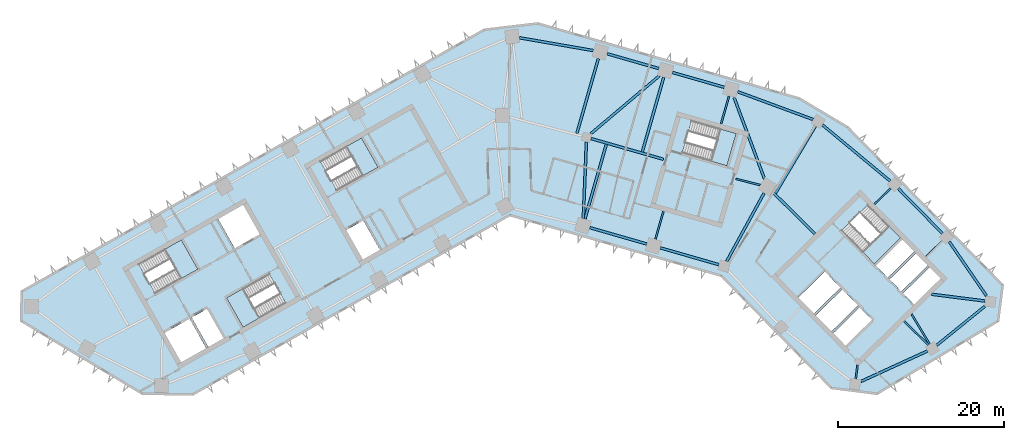
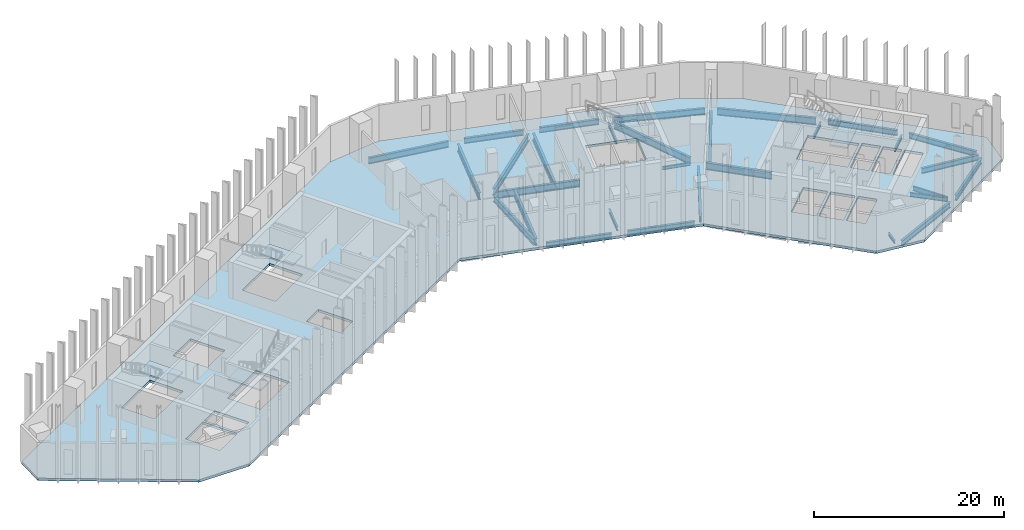
# One storey, part 2 of 11: 30 beams, 6 slabs, 5 elements without a shape of their own.
"""IFC4 building model written with IfcOpenShell, lengths in metres."""

from ifc_helpers import new_model, si_unit, direction, frame, origin, origin_2d, place, context, subcontext, project, spatial, polyline, i_section, outline, extrude, material, layer, layer_set, material_profile, profile_set, type_object, element, aggregate, save


model = new_model("IFC4")

# Units and contexts
model_context = context("Model", 3, precision=1e-05, world=origin(), true_north=direction((0.0, 1.0)))
body_context = subcontext(model_context, "Body", "Model", "MODEL_VIEW")
ifc_project = project(units=[si_unit("LENGTHUNIT", "METRE"), si_unit("AREAUNIT", "SQUARE_METRE"), si_unit("VOLUMEUNIT", "CUBIC_METRE"), si_unit("PLANEANGLEUNIT", "RADIAN"), si_unit("MASSUNIT", "GRAM", prefix="KILO")], contexts=[model_context])

# Site, building, storey
site_placement = place(None, origin())
site = spatial("IfcSite", under=ifc_project, at=site_placement, CompositionType="ELEMENT")
building_placement = place(site_placement, origin())
building = spatial("IfcBuilding", under=site, at=building_placement, Name="Binnacle Exchange Tower", CompositionType="ELEMENT")
storey_placement = place(building_placement, frame((0.0, 0.0, 36.5)))
storey = spatial("IfcBuildingStorey", under=building, at=storey_placement, Name="L07", CompositionType="ELEMENT", Elevation=36.5)

# Beams
ifc_material_1 = material(Name="Steel S355 (SHN355)", Category="steel")
ifc_material_profile_1 = material_profile(ifc_material_1, i_section(OverallWidth=0.300048828125, OverallDepth=0.699951171875, WebThickness=0.012939453125, FlangeThickness=0.02392578125, FilletRadius=0.028076171875, at=origin_2d()), Name="H 700x300x13x24")
ifc_profile_set_1 = profile_set([ifc_material_profile_1], Name="Steel S355 (SHN355)")
beam_type_1 = type_object("IfcBeamType", Name="Edge girder H 700x300x13x24 Steel S355 (SHN355)", PredefinedType="SPANDREL", material=ifc_profile_set_1)
beam_1_placement = place(storey_placement, frame((9.626708984375, 46.488037109375, -0.669921875), z_axis=(0.961260850036, -0.275640305812, 0.0), x_axis=(0.275640305812, 0.961260850036, 0.0)))
element("IfcBeam", 1, at=beam_1_placement, inside=storey, type_object=beam_type_1, Name="S:BM:edge:L07:030", PredefinedType="SPANDREL", context=body_context, shape_type="SweptSolid", body=[
    extrude(i_section(OverallWidth=0.300048828125, OverallDepth=0.699951171875, WebThickness=0.012939453125, FlangeThickness=0.02392578125, FilletRadius=0.028076171875, at=origin_2d()), origin(), (0.0, 0.0, 1.0), 7.120361328125),
])
beam_2_placement = place(storey_placement, frame((17.92919921875, 65.610595703125, -0.669921875), z_axis=(-0.961261624999, 0.275637603213, 0.0), x_axis=(-0.275637603213, -0.961261624999, 0.0)))
element("IfcBeam", 2, at=beam_2_placement, inside=storey, type_object=beam_type_1, Name="S:BM:edge:L07:032", PredefinedType="SPANDREL", context=body_context, shape_type="SweptSolid", body=[
    extrude(i_section(OverallWidth=0.300048828125, OverallDepth=0.699951171875, WebThickness=0.012939453125, FlangeThickness=0.02392578125, FilletRadius=0.028076171875, at=origin_2d()), origin(), (0.0, 0.0, 1.0), 6.472900390625),
])
beam_3_placement = place(storey_placement, frame((18.105224609375, 44.056884765625, -0.669921875), z_axis=(0.96126047873, -0.275641600691, 0.0), x_axis=(0.275641600691, 0.96126047873, 0.0)))
element("IfcBeam", 3, at=beam_3_placement, inside=storey, type_object=beam_type_1, Name="S:BM:edge:L07:033", PredefinedType="SPANDREL", context=body_context, shape_type="SweptSolid", body=[
    extrude(i_section(OverallWidth=0.300048828125, OverallDepth=0.699951171875, WebThickness=0.012939453125, FlangeThickness=0.02392578125, FilletRadius=0.028076171875, at=origin_2d()), origin(), (0.0, 0.0, 1.0), 7.320556640625),
])
beam_4_placement = place(storey_placement, frame((25.78564453125, 63.35791015625, -0.669921875), z_axis=(-0.961271618025, 0.275602751036, 0.0), x_axis=(-0.275602751036, -0.961271618025, 0.0)))
element("IfcBeam", 4, at=beam_4_placement, inside=storey, type_object=beam_type_1, Name="S:BM:edge:L07:034", PredefinedType="SPANDREL", context=body_context, shape_type="SweptSolid", body=[
    extrude(i_section(OverallWidth=0.300048828125, OverallDepth=0.699951171875, WebThickness=0.012939453125, FlangeThickness=0.02392578125, FilletRadius=0.028076171875, at=origin_2d()), origin(), (0.0, 0.0, 1.0), 6.472900390625),
])
beam_5_placement = place(storey_placement, frame((51.322265625, 32.343505859375, -0.669921875), z_axis=(0.777568489665, 0.628798253719, 0.0), x_axis=(-0.628798253719, 0.777568489665, 0.0)))
element("IfcBeam", 5, at=beam_5_placement, inside=storey, type_object=beam_type_1, Name="S:BM:edge:L07:040", PredefinedType="SPANDREL", context=body_context, shape_type="SweptSolid", body=[
    extrude(i_section(OverallWidth=0.300048828125, OverallDepth=0.699951171875, WebThickness=0.012939453125, FlangeThickness=0.02392578125, FilletRadius=0.028076171875, at=origin_2d()), origin(), (0.0, 0.0, 1.0), 7.428955078125),
])
beam_6_placement = place(storey_placement, frame((52.010986328125, 45.802978515625, -0.669921875), z_axis=(-0.700905226564, 0.713254417004, 0.0), x_axis=(-0.713254417004, -0.700905226564, 0.0)))
element("IfcBeam", 6, at=beam_6_placement, inside=storey, type_object=beam_type_1, Name="S:BM:edge:L07:041", PredefinedType="SPANDREL", context=body_context, shape_type="SweptSolid", body=[
    extrude(i_section(OverallWidth=0.300048828125, OverallDepth=0.699951171875, WebThickness=0.012939453125, FlangeThickness=0.02392578125, FilletRadius=0.028076171875, at=origin_2d()), origin(), (0.0, 0.0, 1.0), 7.57177734375),
])
beam_7_placement = place(storey_placement, frame((57.305419921875, 38.299072265625, -0.669921875), z_axis=(-0.566409202341, 0.82412415054, 0.0), x_axis=(-0.82412415054, -0.566409202341, 0.0)))
element("IfcBeam", 7, at=beam_7_placement, inside=storey, type_object=beam_type_1, Name="S:BM:edge:L07:042", PredefinedType="SPANDREL", context=body_context, shape_type="SweptSolid", body=[
    extrude(i_section(OverallWidth=0.300048828125, OverallDepth=0.699951171875, WebThickness=0.012939453125, FlangeThickness=0.02392578125, FilletRadius=0.028076171875, at=origin_2d()), origin(), (0.0, 0.0, 1.0), 7.8828125),
])
ifc_material_profile_2 = material_profile(ifc_material_1, i_section(OverallWidth=0.302001953125, OverallDepth=0.7080078125, WebThickness=0.014892578125, FlangeThickness=0.028076171875, FilletRadius=0.028076171875, at=origin_2d()), Name="H 708x302x15x28")
ifc_profile_set_2 = profile_set([ifc_material_profile_2], Name="Steel S355 (SHN355)")
beam_type_2 = type_object("IfcBeamType", Name="Edge girder H 708x302x15x28 Steel S355 (SHN355)", PredefinedType="SPANDREL", material=ifc_profile_set_2)
beam_8_placement = place(storey_placement, frame((42.215576171875, 27.99365234375, -0.674072265625), z_axis=(0.909179052108, 0.416405392866, 0.0), x_axis=(-0.416405392866, 0.909179052108, 0.0)))
element("IfcBeam", 8, at=beam_8_placement, inside=storey, type_object=beam_type_2, Name="S:BM:edge:L07:038", PredefinedType="SPANDREL", context=body_context, shape_type="SweptSolid", body=[
    extrude(i_section(OverallWidth=0.302001953125, OverallDepth=0.7080078125, WebThickness=0.014892578125, FlangeThickness=0.028076171875, FilletRadius=0.028076171875, at=origin_2d()), origin(), (0.0, 0.0, 1.0), 8.801025390625),
])
ifc_material_profile_3 = material_profile(ifc_material_1, i_section(OverallWidth=0.300048828125, OverallDepth=0.800048828125, WebThickness=0.013916015625, FlangeThickness=0.02587890625, FilletRadius=0.028076171875, at=origin_2d()), Name="H 800x300x14x26")
ifc_profile_set_3 = profile_set([ifc_material_profile_3], Name="Steel S355 (SHN355)")
beam_type_3 = type_object("IfcBeamType", Name="Edge girder H 800x300x14x26 Steel S355 (SHN355)", PredefinedType="SPANDREL", material=ifc_profile_set_3)
beam_9_placement = place(storey_placement, frame((10.047607421875, 67.77490234375, -0.719970703125), z_axis=(-0.985312460293, 0.17076110679, 0.0), x_axis=(-0.17076110679, -0.985312460293, 0.0)))
element("IfcBeam", 9, at=beam_9_placement, inside=storey, type_object=beam_type_3, Name="S:BM:edge:L07:031", PredefinedType="SPANDREL", context=body_context, shape_type="SweptSolid", body=[
    extrude(i_section(OverallWidth=0.300048828125, OverallDepth=0.800048828125, WebThickness=0.013916015625, FlangeThickness=0.02587890625, FilletRadius=0.028076171875, at=origin_2d()), origin(), (0.0, 0.0, 1.0), 9.005859375),
])
ifc_material_profile_4 = material_profile(ifc_material_1, i_section(OverallWidth=0.302001953125, OverallDepth=0.80810546875, WebThickness=0.01611328125, FlangeThickness=0.030029296875, FilletRadius=0.028076171875, at=origin_2d()), Name="H 808x302x16x30")
ifc_profile_set_4 = profile_set([ifc_material_profile_4], Name="Steel S355 (SHN355)")
beam_type_4 = type_object("IfcBeamType", Name="Edge girder H 808x302x16x30 Steel S355 (SHN355)", PredefinedType="SPANDREL", material=ifc_profile_set_4)
beam_10_placement = place(storey_placement, frame((36.464599609375, 59.490966796875, -0.72412109375), z_axis=(-0.938368148393, 0.345637408395, 0.0), x_axis=(-0.345637408395, -0.938368148393, 0.0)))
element("IfcBeam", 10, at=beam_10_placement, inside=storey, type_object=beam_type_4, Name="S:BM:edge:L07:037", PredefinedType="SPANDREL", context=body_context, shape_type="SweptSolid", body=[
    extrude(i_section(OverallWidth=0.302001953125, OverallDepth=0.80810546875, WebThickness=0.01611328125, FlangeThickness=0.030029296875, FilletRadius=0.028076171875, at=origin_2d()), origin(), (0.0, 0.0, 1.0), 9.6572265625),
])
ifc_material_profile_5 = material_profile(ifc_material_1, i_section(OverallWidth=0.300048828125, OverallDepth=0.89990234375, WebThickness=0.01611328125, FlangeThickness=0.028076171875, FilletRadius=0.028076171875, at=origin_2d()), Name="H 900x300x16x28")
ifc_profile_set_5 = profile_set([ifc_material_profile_5], Name="Steel S355 (SHN355)")
beam_type_5 = type_object("IfcBeamType", Name="Edge girder H 900x300x16x28 Steel S355 (SHN355)", PredefinedType="SPANDREL", material=ifc_profile_set_5)
beam_11_placement = place(storey_placement, frame((45.7451171875, 52.084228515625, -0.77001953125), z_axis=(-0.769906025895, 0.638157277864, 0.0), x_axis=(-0.638157277864, -0.769906025895, 0.0)))
element("IfcBeam", 11, at=beam_11_placement, inside=storey, type_object=beam_type_5, Name="S:BM:edge:L07:039", PredefinedType="SPANDREL", context=body_context, shape_type="SweptSolid", body=[
    extrude(i_section(OverallWidth=0.300048828125, OverallDepth=0.89990234375, WebThickness=0.01611328125, FlangeThickness=0.028076171875, FilletRadius=0.028076171875, at=origin_2d()), origin(), (0.0, 0.0, 1.0), 10.59033203125),
])
ifc_material_profile_6 = material_profile(ifc_material_1, i_section(OverallWidth=0.199951171875, OverallDepth=0.39990234375, WebThickness=0.008056640625, FlangeThickness=0.012939453125, FilletRadius=0.01611328125, at=origin_2d()), Name="H 400x200x8x13")
ifc_profile_set_6 = profile_set([ifc_material_profile_6], Name="Steel S355 (SHN355)")
beam_type_6 = type_object("IfcBeamType", Name="Floor beam H 400x200x8x13 Steel S355 (SHN355)", PredefinedType="BEAM", material=ifc_profile_set_6)
beam_12_placement = place(storey_placement, frame((41.601806640625, 28.319580078125, -0.52001953125), z_axis=(0.126197116971, 0.992005185303, 0.0), x_axis=(-0.992005185303, 0.126197116971, 0.0)))
element("IfcBeam", 12, at=beam_12_placement, inside=storey, type_object=beam_type_6, Name="S:BM:cross:L07:063", PredefinedType="BEAM", context=body_context, shape_type="SweptSolid", body=[
    extrude(i_section(OverallWidth=0.199951171875, OverallDepth=0.39990234375, WebThickness=0.008056640625, FlangeThickness=0.012939453125, FilletRadius=0.01611328125, at=origin_2d()), origin(), (0.0, 0.0, 1.0), 1.68115234375),
])
ifc_material_profile_7 = material_profile(ifc_material_1, i_section(OverallWidth=0.199951171875, OverallDepth=0.449951171875, WebThickness=0.009033203125, FlangeThickness=0.013916015625, FilletRadius=0.01806640625, at=origin_2d()), Name="H 450x200x9x14")
ifc_profile_set_7 = profile_set([ifc_material_profile_7], Name="Steel S355 (SHN355)")
beam_type_7 = type_object("IfcBeamType", Name="Floor beam H 450x200x9x14 Steel S355 (SHN355)", PredefinedType="BEAM", material=ifc_profile_set_7)
for number, where, z_axis, x_axis, name in (
    (13, (45.78466796875, 51.211669921875, -0.544921875), (-0.713299272232, -0.700859578113, 0.0), (0.700859578113, -0.713299272232, 0.0), "S:BM:cross:L07:064"),
    (14, (52.003173828125, 44.8837890625, -0.544921875), (-0.713254209224, -0.700905438004, 0.0), (0.700905438004, -0.713254209224, 0.0), "S:BM:cross:L07:066"),
):
    element("IfcBeam", number, at=place(storey_placement, frame(where, z_axis=z_axis, x_axis=x_axis)), inside=storey, type_object=beam_type_7, Name=name, PredefinedType="BEAM", context=body_context, shape_type="SweptSolid", body=[
        extrude(i_section(OverallWidth=0.199951171875, OverallDepth=0.449951171875, WebThickness=0.009033203125, FlangeThickness=0.013916015625, FilletRadius=0.01806640625, at=origin_2d()), origin(), (0.0, 0.0, 1.0), 2.70849609375),
    ])
ifc_material_profile_8 = material_profile(ifc_material_1, i_section(OverallWidth=0.200927734375, OverallDepth=0.506103515625, WebThickness=0.010986328125, FlangeThickness=0.01904296875, FilletRadius=0.02001953125, at=origin_2d()), Name="H 506x201x11x19")
ifc_profile_set_8 = profile_set([ifc_material_profile_8], Name="Steel S355 (SHN355)")
beam_type_8 = type_object("IfcBeamType", Name="Floor beam H 506x201x11x19 Steel S355 (SHN355)", PredefinedType="BEAM", material=ifc_profile_set_8)
for number, where, z_axis, x_axis, name in (
    (15, (17.5224609375, 45.108154296875, -0.572998046875), (0.275655468279, 0.961256502089, 0.0), (-0.961256502089, 0.275655468279, 0.0), "S:BM:cross:L07:058"),
    (16, (26.368408203125, 62.306396484375, -0.572998046875), (-0.275655468279, -0.961256502089, 0.0), (0.961256502089, -0.275655468279, 0.0), "S:BM:cross:L07:060"),
):
    element("IfcBeam", number, at=place(storey_placement, frame(where, z_axis=z_axis, x_axis=x_axis)), inside=storey, type_object=beam_type_8, Name=name, PredefinedType="BEAM", context=body_context, shape_type="SweptSolid", body=[
        extrude(i_section(OverallWidth=0.200927734375, OverallDepth=0.506103515625, WebThickness=0.010986328125, FlangeThickness=0.01904296875, FilletRadius=0.02001953125, at=origin_2d()), origin(), (0.0, 0.0, 1.0), 3.485107421875),
    ])
ifc_material_profile_9 = material_profile(ifc_material_1, i_section(OverallWidth=0.199951171875, OverallDepth=0.60009765625, WebThickness=0.010986328125, FlangeThickness=0.01708984375, FilletRadius=0.02197265625, at=origin_2d()), Name="H 600x200x11x17")
ifc_profile_set_9 = profile_set([ifc_material_profile_9], Name="Steel S355 (SHN355)")
beam_type_9 = type_object("IfcBeamType", Name="Floor beam H 600x200x11x17 Steel S355 (SHN355)", PredefinedType="BEAM", material=ifc_profile_set_9)
beam_13_placement = place(storey_placement, frame((50.477294921875, 32.488037109375, -0.6201171875), z_axis=(-0.515057466438, 0.857155648798, 0.0), x_axis=(-0.857155648798, -0.515057466438, 0.0)))
element("IfcBeam", 17, at=beam_13_placement, inside=storey, type_object=beam_type_9, Name="S:BM:cross:L07:065", PredefinedType="BEAM", context=body_context, shape_type="SweptSolid", body=[
    extrude(i_section(OverallWidth=0.199951171875, OverallDepth=0.60009765625, WebThickness=0.010986328125, FlangeThickness=0.01708984375, FilletRadius=0.02197265625, at=origin_2d()), origin(), (0.0, 0.0, 1.0), 4.2177734375),
])
ifc_material_profile_10 = material_profile(ifc_material_1, i_section(OverallWidth=0.300048828125, OverallDepth=0.699951171875, WebThickness=0.012939453125, FlangeThickness=0.02392578125, FilletRadius=0.028076171875, at=origin_2d()), Name="H 700x300x13x24")
ifc_profile_set_10 = profile_set([ifc_material_profile_10], Name="Steel S355 (SHN355)")
beam_type_10 = type_object("IfcBeamType", Name="Floor beam H 700x300x13x24 Steel S355 (SHN355)", PredefinedType="BEAM", material=ifc_profile_set_10)
beam_14_placement = place(storey_placement, frame((57.154296875, 37.6630859375, -0.669921875), z_axis=(-0.992006658356, 0.126185537116, 0.0), x_axis=(-0.126185537116, -0.992006658356, 0.0)))
element("IfcBeam", 18, at=beam_14_placement, inside=storey, type_object=beam_type_10, Name="S:BM:cross:L07:067", PredefinedType="BEAM", context=body_context, shape_type="SweptSolid", body=[
    extrude(i_section(OverallWidth=0.300048828125, OverallDepth=0.699951171875, WebThickness=0.012939453125, FlangeThickness=0.02392578125, FilletRadius=0.028076171875, at=origin_2d()), origin(), (0.0, 0.0, 1.0), 6.4814453125),
])
ifc_material_profile_11 = material_profile(ifc_material_1, i_section(OverallWidth=0.302978515625, OverallDepth=0.91796875, WebThickness=0.01904296875, FlangeThickness=0.037109375, FilletRadius=0.028076171875, at=origin_2d()), Name="H 918x303x19x37")
ifc_profile_set_11 = profile_set([ifc_material_profile_11], Name="Steel S355 (SHN355)")
beam_type_11 = type_object("IfcBeamType", Name="Floor beam H 918x303x19x37 Steel S355 (SHN355)", PredefinedType="BEAM", material=ifc_profile_set_11)
beam_15_placement = place(storey_placement, frame((9.043701171875, 47.539306640625, -0.779052734375), z_axis=(0.275646698205, 0.961259017003, 0.0), x_axis=(-0.961259017003, 0.275646698205, 0.0)))
element("IfcBeam", 19, at=beam_15_placement, inside=storey, type_object=beam_type_11, Name="S:BM:cross:L07:056", PredefinedType="BEAM", context=body_context, shape_type="SweptSolid", body=[
    extrude(i_section(OverallWidth=0.302978515625, OverallDepth=0.91796875, WebThickness=0.01904296875, FlangeThickness=0.037109375, FilletRadius=0.028076171875, at=origin_2d()), origin(), (0.0, 0.0, 1.0), 9.335205078125),
])
beam_16_placement = place(storey_placement, frame((10.65576171875, 66.81201171875, -0.779052734375), z_axis=(-0.275626703457, -0.961264750389, 0.0), x_axis=(0.961264750389, -0.275626703457, 0.0)))
element("IfcBeam", 20, at=beam_16_placement, inside=storey, type_object=beam_type_11, Name="S:BM:cross:L07:057", PredefinedType="BEAM", context=body_context, shape_type="SweptSolid", body=[
    extrude(i_section(OverallWidth=0.302978515625, OverallDepth=0.91796875, WebThickness=0.01904296875, FlangeThickness=0.037109375, FilletRadius=0.028076171875, at=origin_2d()), origin(), (0.0, 0.0, 1.0), 9.363525390625),
])
beam_17_placement = place(storey_placement, frame((18.511962890625, 64.55908203125, -0.779052734375), z_axis=(-0.275629461812, -0.961263959473, 0.0), x_axis=(0.961263959473, -0.275629461812, 0.0)))
element("IfcBeam", 21, at=beam_17_placement, inside=storey, type_object=beam_type_11, Name="S:BM:cross:L07:059", PredefinedType="BEAM", context=body_context, shape_type="SweptSolid", body=[
    extrude(i_section(OverallWidth=0.302978515625, OverallDepth=0.91796875, WebThickness=0.01904296875, FlangeThickness=0.037109375, FilletRadius=0.028076171875, at=origin_2d()), origin(), (0.0, 0.0, 1.0), 9.3349609375),
])
beam_18_placement = place(storey_placement, frame((36.752685546875, 58.703857421875, -0.779052734375), z_axis=(-0.511298188751, -0.859403375709, 0.0), x_axis=(0.859403375709, -0.511298188751, 0.0)))
element("IfcBeam", 22, at=beam_18_placement, inside=storey, type_object=beam_type_11, Name="S:BM:cross:L07:062", PredefinedType="BEAM", context=body_context, shape_type="SweptSolid", body=[
    extrude(i_section(OverallWidth=0.302978515625, OverallDepth=0.91796875, WebThickness=0.01904296875, FlangeThickness=0.037109375, FilletRadius=0.028076171875, at=origin_2d()), origin(), (0.0, 0.0, 1.0), 9.385986328125),
])
ifc_material_profile_12 = material_profile(ifc_material_1, i_section(OverallWidth=0.199951171875, OverallDepth=0.39990234375, WebThickness=0.008056640625, FlangeThickness=0.012939453125, FilletRadius=0.01611328125, at=origin_2d()), Name="H 400x200x8x13")
ifc_profile_set_12 = profile_set([ifc_material_profile_12], Name="Steel S355 (SHN355)")
beam_type_12 = type_object("IfcBeamType", Name="Spine girder H 400x200x8x13 Steel S355 (SHN355)", PredefinedType="BEAM", material=ifc_profile_set_12)
beam_19_placement = place(storey_placement, frame((27.17138671875, 52.35400390625, -0.52001953125), z_axis=(0.969359627701, -0.245645908136, 0.0), x_axis=(0.245645908136, 0.969359627701, 0.0)))
element("IfcBeam", 23, at=beam_19_placement, inside=storey, type_object=beam_type_12, Name="S:BM:spine:L07:010", PredefinedType="BEAM", context=body_context, shape_type="SweptSolid", body=[
    extrude(i_section(OverallWidth=0.199951171875, OverallDepth=0.39990234375, WebThickness=0.008056640625, FlangeThickness=0.012939453125, FilletRadius=0.01611328125, at=origin_2d()), origin(), (0.0, 0.0, 1.0), 3.046142578125),
])
ifc_material_profile_13 = material_profile(ifc_material_1, i_section(OverallWidth=0.200927734375, OverallDepth=0.506103515625, WebThickness=0.010986328125, FlangeThickness=0.01904296875, FilletRadius=0.02001953125, at=origin_2d()), Name="H 506x201x11x19")
ifc_profile_set_13 = profile_set([ifc_material_profile_13], Name="Steel S355 (SHN355)")
beam_type_13 = type_object("IfcBeamType", Name="Spine girder H 506x201x11x19 Steel S355 (SHN355)", PredefinedType="BEAM", material=ifc_profile_set_13)
beam_20_placement = place(storey_placement, frame((47.417236328125, 35.23095703125, -0.572998046875), z_axis=(0.717013275689, -0.697059511437, 0.0), x_axis=(0.697059511437, 0.717013275689, 0.0)))
element("IfcBeam", 24, at=beam_20_placement, inside=storey, type_object=beam_type_13, Name="S:BM:spine:L07:014", PredefinedType="BEAM", context=body_context, shape_type="SweptSolid", body=[
    extrude(i_section(OverallWidth=0.200927734375, OverallDepth=0.506103515625, WebThickness=0.010986328125, FlangeThickness=0.01904296875, FilletRadius=0.02001953125, at=origin_2d()), origin(), (0.0, 0.0, 1.0), 4.06201171875),
])
ifc_material_profile_14 = material_profile(ifc_material_1, i_section(OverallWidth=0.302001953125, OverallDepth=0.80810546875, WebThickness=0.01611328125, FlangeThickness=0.030029296875, FilletRadius=0.028076171875, at=origin_2d()), Name="H 808x302x16x30")
ifc_profile_set_14 = profile_set([ifc_material_profile_14], Name="Steel S355 (SHN355)")
beam_type_14 = type_object("IfcBeamType", Name="Spine girder H 808x302x16x30 Steel S355 (SHN355)", PredefinedType="BEAM", material=ifc_profile_set_14)
beam_21_placement = place(storey_placement, frame((9.218017578125, 56.78466796875, -0.72412109375), z_axis=(-0.040567083206, -0.999176817065, 0.0), x_axis=(0.999176817065, -0.040567083206, 0.0)))
element("IfcBeam", 25, at=beam_21_placement, inside=storey, type_object=beam_type_14, Name="S:BM:spine:L07:007", PredefinedType="BEAM", context=body_context, shape_type="SweptSolid", body=[
    extrude(i_section(OverallWidth=0.302001953125, OverallDepth=0.80810546875, WebThickness=0.01611328125, FlangeThickness=0.030029296875, FilletRadius=0.028076171875, at=origin_2d()), origin(), (0.0, 0.0, 1.0), 9.19580078125),
])
beam_22_placement = place(storey_placement, frame((30.580078125, 50.6396484375, -0.72412109375), z_axis=(-0.480716000085, -0.87687634662, 0.0), x_axis=(0.87687634662, -0.480716000085, 0.0)))
element("IfcBeam", 26, at=beam_22_placement, inside=storey, type_object=beam_type_14, Name="S:BM:spine:L07:011", PredefinedType="BEAM", context=body_context, shape_type="SweptSolid", body=[
    extrude(i_section(OverallWidth=0.302001953125, OverallDepth=0.80810546875, WebThickness=0.01611328125, FlangeThickness=0.030029296875, FilletRadius=0.028076171875, at=origin_2d()), origin(), (0.0, 0.0, 1.0), 9.34619140625),
])
ifc_material_profile_15 = material_profile(ifc_material_1, i_section(OverallWidth=0.302001953125, OverallDepth=0.912109375, WebThickness=0.01806640625, FlangeThickness=0.033935546875, FilletRadius=0.028076171875, at=origin_2d()), Name="H 912x302x18x34")
ifc_profile_set_15 = profile_set([ifc_material_profile_15], Name="Steel S355 (SHN355)")
beam_type_15 = type_object("IfcBeamType", Name="Spine girder H 912x302x18x34 Steel S355 (SHN355)", PredefinedType="BEAM", material=ifc_profile_set_15)
beam_23_placement = place(storey_placement, frame((9.74658203125, 57.77734375, -0.77587890625), z_axis=(0.764072930463, 0.64512987602, 0.0), x_axis=(-0.64512987602, 0.764072930463, 0.0)))
element("IfcBeam", 27, at=beam_23_placement, inside=storey, type_object=beam_type_15, Name="S:BM:spine:L07:008", PredefinedType="BEAM", context=body_context, shape_type="SweptSolid", body=[
    extrude(i_section(OverallWidth=0.302001953125, OverallDepth=0.912109375, WebThickness=0.01806640625, FlangeThickness=0.033935546875, FilletRadius=0.028076171875, at=origin_2d()), origin(), (0.0, 0.0, 1.0), 10.755615234375),
])
beam_24_placement = place(storey_placement, frame((30.614501953125, 52.389892578125, -0.77587890625), z_axis=(-0.350104624168, 0.936710602126, 0.0), x_axis=(-0.936710602126, -0.350104624168, 0.0)))
element("IfcBeam", 28, at=beam_24_placement, inside=storey, type_object=beam_type_15, Name="S:BM:spine:L07:012", PredefinedType="BEAM", context=body_context, shape_type="SweptSolid", body=[
    extrude(i_section(OverallWidth=0.302001953125, OverallDepth=0.912109375, WebThickness=0.01806640625, FlangeThickness=0.033935546875, FilletRadius=0.028076171875, at=origin_2d()), origin(), (0.0, 0.0, 1.0), 10.4013671875),
])
ifc_material_profile_16 = material_profile(ifc_material_1, i_section(OverallWidth=0.302978515625, OverallDepth=0.91796875, WebThickness=0.01904296875, FlangeThickness=0.037109375, FilletRadius=0.028076171875, at=origin_2d()), Name="H 918x303x19x37")
ifc_profile_set_16 = profile_set([ifc_material_profile_16], Name="Steel S355 (SHN355)")
beam_type_16 = type_object("IfcBeamType", Name="Spine girder H 918x303x19x37 Steel S355 (SHN355)", PredefinedType="BEAM", material=ifc_profile_set_16)
beam_25_placement = place(storey_placement, frame((9.76953125, 57.198486328125, -0.779052734375), z_axis=(0.961265329417, -0.275624684057, 0.0), x_axis=(0.275624684057, 0.961265329417, 0.0)))
element("IfcBeam", 29, at=beam_25_placement, inside=storey, type_object=beam_type_16, Name="S:BM:spine:L07:009", PredefinedType="BEAM", context=body_context, shape_type="SweptSolid", body=[
    extrude(i_section(OverallWidth=0.302978515625, OverallDepth=0.91796875, WebThickness=0.01904296875, FlangeThickness=0.037109375, FilletRadius=0.028076171875, at=origin_2d()), origin(), (0.0, 0.0, 1.0), 9.063232421875),
])
beam_26_placement = place(storey_placement, frame((31.60888671875, 50.773681640625, -0.779052734375), z_axis=(0.711013452478, -0.703178405809, 0.0), x_axis=(0.703178405809, 0.711013452478, 0.0)))
element("IfcBeam", 30, at=beam_26_placement, inside=storey, type_object=beam_type_16, Name="S:BM:spine:L07:013", PredefinedType="BEAM", context=body_context, shape_type="SweptSolid", body=[
    extrude(i_section(OverallWidth=0.302978515625, OverallDepth=0.91796875, WebThickness=0.01904296875, FlangeThickness=0.037109375, FilletRadius=0.028076171875, at=origin_2d()), origin(), (0.0, 0.0, 1.0), 7.166748046875),
])

# Slab
ifc_material_2 = material(Name="Concrete C35/45", Category="concrete")
ifc_layer_1 = layer(ifc_material_2, 0.320068359375)
ifc_layer_set_1 = layer_set([ifc_layer_1], Name="Floor slab 320 Concrete C35/45")
slab_type_1 = type_object("IfcSlabType", Name="Floor slab 320 Concrete C35/45", PredefinedType="FLOOR", material=ifc_layer_set_1)
slab_1_placement = place(storey_placement, frame((0.0, 0.0, -0.320068359375)))
element("IfcSlab", 31, at=slab_1_placement, inside=storey, type_object=slab_type_1, Name="S:SL:L07:01", PredefinedType="FLOOR", context=body_context, shape_type="SweptSolid", body=[
    extrude(outline(polyline([(59.262939453125, 39.5791015625), (58.716064453125, 35.280029296875), (44.14404296875, 26.5244140625), (38.69091796875, 27.21826171875), (25.43603515625, 40.706298828125), (0.0, 48.0), (-38.097900390625, 26.4453125), (-44.14404296875, 26.5244140625), (-58.716064453125, 35.280029296875), (-58.669921875, 38.80615234375), (-3.046142578125, 70.276611328125), (3.364501953125, 71.035400390625), (34.789794921875, 62.024169921875), (40.607421875, 58.56298828125), (59.262939453125, 39.5791015625)]), holes=[polyline([(-38.4794921875, 35.529296875), (-41.61279296875, 33.756591796875), (-39.544677734375, 30.10107421875), (-36.411376953125, 31.873779296875), (-38.4794921875, 35.529296875)]), polyline([(-34.322509765625, 33.0556640625), (-36.390625, 36.711181640625), (-38.21826171875, 35.677001953125), (-36.150146484375, 32.021484375), (-34.322509765625, 33.0556640625)]), polyline([(-34.040771484375, 38.04052734375), (-32.04638671875, 34.515625), (-26.9287109375, 37.4111328125), (-28.923095703125, 40.93603515625), (-34.040771484375, 38.04052734375)]), polyline([(-37.486572265625, 41.4912109375), (-39.480712890625, 45.01611328125), (-44.598388671875, 42.12060546875), (-42.604248046875, 38.595703125), (-37.486572265625, 41.4912109375)]), polyline([(-15.53076171875, 43.6875), (-17.598876953125, 47.343017578125), (-19.77490234375, 46.11181640625), (-17.70654296875, 42.456298828125), (-15.53076171875, 43.6875)]), polyline([(-29.914306640625, 45.775390625), (-31.982666015625, 49.430908203125), (-35.115966796875, 47.657958984375), (-33.047607421875, 44.00244140625), (-29.914306640625, 45.775390625)]), polyline([(-15.822509765625, 53.748046875), (-17.81689453125, 57.27294921875), (-22.760498046875, 54.47607421875), (-20.76611328125, 50.950927734375), (-15.822509765625, 53.748046875)]), polyline([(26.111328125, 53.9169921875), (27.227783203125, 57.810302734375), (21.864013671875, 59.348388671875), (20.74755859375, 55.455078125), (26.111328125, 53.9169921875)]), polyline([(40.268798828125, 32.201904296875), (43.549560546875, 35.426025390625), (42.07763671875, 36.923828125), (38.796875, 33.69970703125), (40.268798828125, 32.201904296875)]), polyline([(38.58642578125, 33.913818359375), (41.867431640625, 37.137939453125), (39.97509765625, 39.063720703125), (36.694091796875, 35.83935546875), (38.58642578125, 33.913818359375)]), polyline([(36.48388671875, 36.053466796875), (39.7646484375, 39.277587890625), (37.872314453125, 41.203369140625), (34.59130859375, 37.979248046875), (36.48388671875, 36.053466796875)]), polyline([(48.726806640625, 37.148681640625), (52.0078125, 40.372802734375), (50.577880859375, 41.827880859375), (47.296875, 38.603759765625), (48.726806640625, 37.148681640625)]), polyline([(47.086669921875, 38.817626953125), (50.36767578125, 42.0419921875), (48.944580078125, 43.48974609375), (45.663818359375, 40.265625), (47.086669921875, 38.817626953125)]), polyline([(45.45361328125, 40.4794921875), (48.734375, 43.703857421875), (47.3115234375, 45.151611328125), (44.030517578125, 41.927490234375), (45.45361328125, 40.4794921875)]), polyline([(43.8203125, 42.141357421875), (46.994384765625, 45.260498046875), (43.083251953125, 49.240478515625), (39.9091796875, 46.121337890625), (43.8203125, 42.141357421875)])]), origin(), (0.0, 0.0, 1.0), 0.320068359375),
])

# Stair, slab
stair_type = type_object("IfcStairType", Name="STAIR 28 RISERS 179", PredefinedType="HALF_TURN_STAIR", material=ifc_material_2)
stair_1_placement = place(storey_placement, origin())
stair_1 = element("IfcStair", 32, at=stair_1_placement, inside=storey, type_object=stair_type, Name="L07 Escape stair A1", PredefinedType="HALF_TURN_STAIR")
ifc_layer_2 = layer(ifc_material_2, 0.199951171875)
ifc_layer_set_2 = layer_set([ifc_layer_2], Name="STAIR LANDING 200")
slab_type_2 = type_object("IfcSlabType", Name="STAIR LANDING 200", PredefinedType="LANDING", material=ifc_layer_set_2)
slab_2_placement = place(storey_placement, frame((0.0, 0.0, 2.300048828125)))
slab_2 = element("IfcSlab", 33, at=slab_2_placement, type_object=slab_type_2, Name="STA1 landing 1", PredefinedType="LANDING", context=body_context, shape_type="SweptSolid", body=[
    extrude(outline(polyline([(-39.470947265625, 40.368408203125), (-37.486572265625, 41.4912109375), (-39.48095703125, 45.01611328125), (-41.46533203125, 43.893310546875), (-39.470947265625, 40.368408203125)])), origin(), (0.0, 0.0, 1.0), 0.199951171875),
])
aggregate(stair_1, [slab_2])

stair_2_placement = place(storey_placement, origin())
stair_2 = element("IfcStair", 34, at=stair_2_placement, inside=storey, type_object=stair_type, Name="L07 Escape stair A2", PredefinedType="HALF_TURN_STAIR")
slab_3_placement = place(storey_placement, frame((0.0, 0.0, 2.300048828125)))
slab_3 = element("IfcSlab", 35, at=slab_3_placement, type_object=slab_type_2, Name="STA2 landing 1", PredefinedType="LANDING", context=body_context, shape_type="SweptSolid", body=[
    extrude(outline(polyline([(-32.05615234375, 39.163330078125), (-34.040771484375, 38.04052734375), (-32.04638671875, 34.515625), (-30.06201171875, 35.638427734375), (-32.05615234375, 39.163330078125)])), origin(), (0.0, 0.0, 1.0), 0.199951171875),
])
aggregate(stair_2, [slab_3])

stair_3_placement = place(storey_placement, origin())
stair_3 = element("IfcStair", 36, at=stair_3_placement, inside=storey, type_object=stair_type, Name="L07 Escape stair B1", PredefinedType="HALF_TURN_STAIR")
slab_4_placement = place(storey_placement, frame((0.0, 0.0, 2.300048828125)))
slab_4 = element("IfcSlab", 37, at=slab_4_placement, type_object=slab_type_2, Name="STB1 landing 1", PredefinedType="LANDING", context=body_context, shape_type="SweptSolid", body=[
    extrude(outline(polyline([(42.4326171875, 43.5537109375), (43.8203125, 42.141357421875), (46.994384765625, 45.260498046875), (45.606689453125, 46.672607421875), (42.4326171875, 43.5537109375)])), origin(), (0.0, 0.0, 1.0), 0.199951171875),
])
aggregate(stair_3, [slab_4])

stair_4_placement = place(storey_placement, origin())
stair_4 = element("IfcStair", 38, at=stair_4_placement, inside=storey, type_object=stair_type, Name="L07 Escape stair C1", PredefinedType="HALF_TURN_STAIR")
slab_5_placement = place(storey_placement, frame((0.0, 0.0, 2.300048828125)))
slab_5 = element("IfcSlab", 39, at=slab_5_placement, type_object=slab_type_2, Name="STC1 landing 1", PredefinedType="LANDING", context=body_context, shape_type="SweptSolid", body=[
    extrude(outline(polyline([(-17.6328125, 52.7236328125), (-15.822509765625, 53.748046875), (-17.81689453125, 57.27294921875), (-19.627197265625, 56.248779296875), (-17.6328125, 52.7236328125)])), origin(), (0.0, 0.0, 1.0), 0.199951171875),
])
aggregate(stair_4, [slab_5])

stair_5_placement = place(storey_placement, origin())
stair_5 = element("IfcStair", 40, at=stair_5_placement, inside=storey, type_object=stair_type, Name="L07 Escape stair D1", PredefinedType="HALF_TURN_STAIR")
slab_6_placement = place(storey_placement, frame((0.0, 0.0, 2.300048828125)))
slab_6 = element("IfcSlab", 41, at=slab_6_placement, type_object=slab_type_2, Name="STD1 landing 1", PredefinedType="LANDING", context=body_context, shape_type="SweptSolid", body=[
    extrude(outline(polyline([(24.2080078125, 54.462890625), (26.111328125, 53.917236328125), (27.227783203125, 57.810302734375), (25.324462890625, 58.35595703125), (24.2080078125, 54.462890625)])), origin(), (0.0, 0.0, 1.0), 0.199951171875),
])
aggregate(stair_5, [slab_6])

save(model, "model.ifc")
